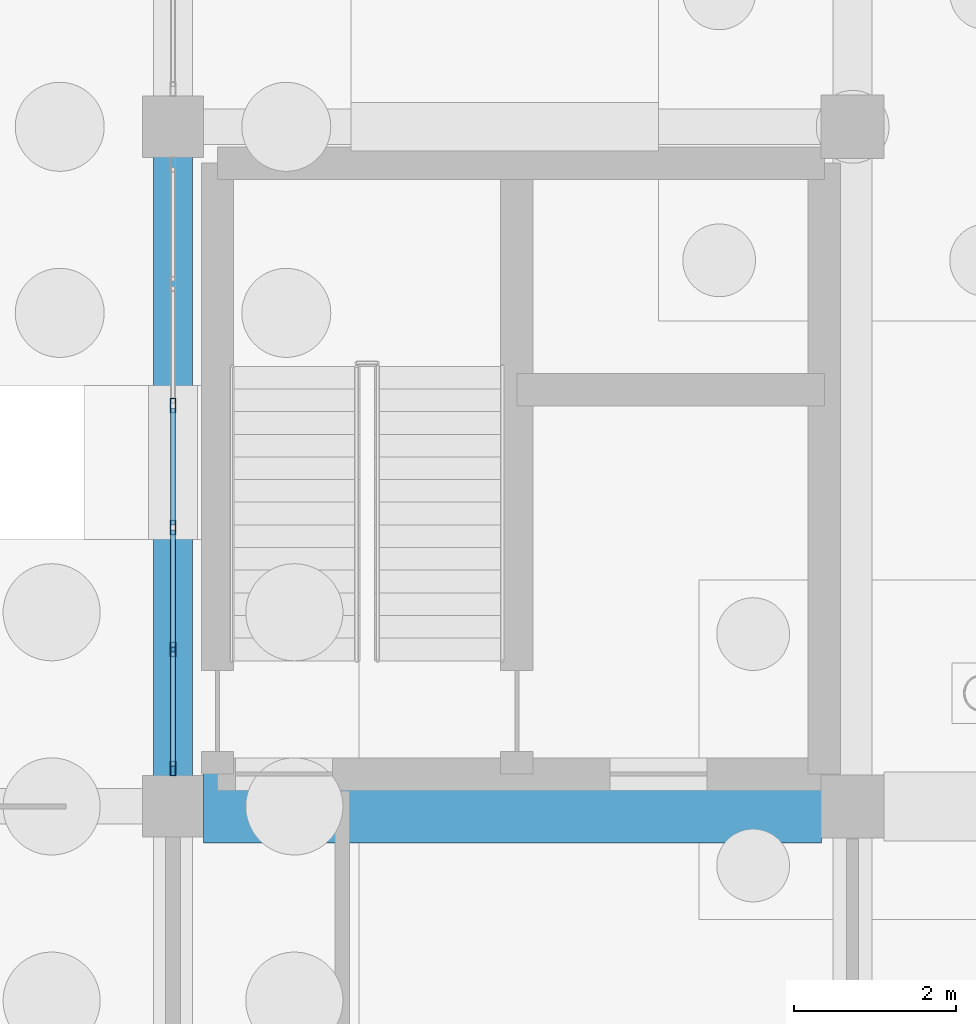
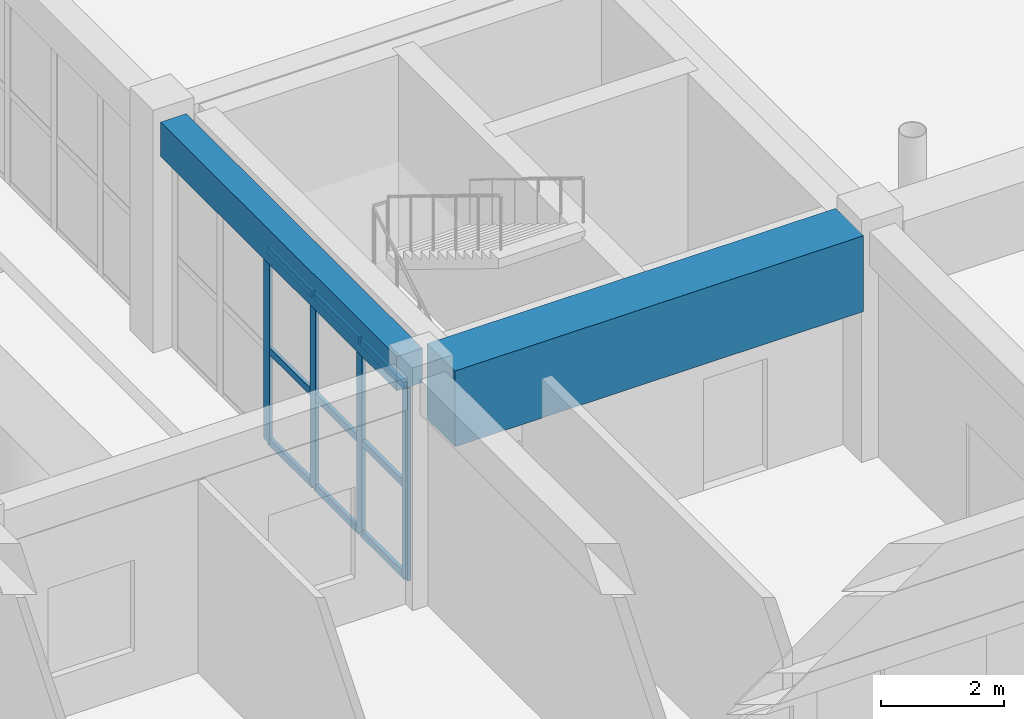
# One storey, part 122 of 192: 13 members, 2 beams, 1 element without a shape of its own.
"""IFC4 building model written with IfcOpenShell, lengths in metres."""

from ifc_helpers import new_model, si_unit, direction, frame, origin, origin_2d, place, context, subcontext, project, spatial, rectangle, hollow_rectangle, extrude, material, layer, layer_set, material_profile, profile_set, type_object, element, aggregate, save


model = new_model("IFC4")

# Units and contexts
model_context = context("Model", 3, precision=1e-05, world=origin(), true_north=direction((0.0, 1.0)))
body_context = subcontext(model_context, "Body", "Model", "MODEL_VIEW")
ifc_project = project(units=[si_unit("LENGTHUNIT", "METRE"), si_unit("AREAUNIT", "SQUARE_METRE"), si_unit("VOLUMEUNIT", "CUBIC_METRE"), si_unit("PLANEANGLEUNIT", "RADIAN"), si_unit("MASSUNIT", "GRAM", prefix="KILO")], contexts=[model_context])

# Site, building, storey
site_placement = place(None, origin())
site = spatial("IfcSite", under=ifc_project, at=site_placement, CompositionType="ELEMENT")
building_placement = place(site_placement, origin())
building = spatial("IfcBuilding", under=site, at=building_placement, Name="Trelvath General Hospital", CompositionType="ELEMENT")
storey_placement = place(building_placement, origin())
storey = spatial("IfcBuildingStorey", under=building, at=storey_placement, Name="L00", CompositionType="ELEMENT", Elevation=0.0)

# Beam
ifc_material_1 = material(Name="Concrete C35/45", Category="concrete")
ifc_material_profile_1 = material_profile(ifc_material_1, rectangle(XDim=0.47998046875, YDim=0.679931640625, at=origin_2d()), Name="RCB480x680")
ifc_profile_set_1 = profile_set([ifc_material_profile_1], Name="Concrete C35/45")
beam_type_1 = type_object("IfcBeamType", Name="Beam RC480x680", PredefinedType="BEAM", material=ifc_profile_set_1)
beam_1_placement = place(storey_placement, frame((134.39990234375, 25.574951171875, 4.179931640625), z_axis=(0.0, 1.0, 0.0), x_axis=(-1.0, 0.0, 0.0)))
element("IfcBeam", 1, at=beam_1_placement, inside=storey, type_object=beam_type_1, Name="Grid Beam BY-016D", PredefinedType="BEAM", context=body_context, shape_type="SweptSolid", body=[
    extrude(rectangle(XDim=0.47998046875, YDim=0.679931640625, at=origin_2d()), origin(), (0.0, 0.0, 1.0), 7.650146484375),
])

# Curtain wall, members
ifc_material_2 = material(Name="Anodised aluminium and low-E glass", Category="aluminium")
ifc_layer = layer(ifc_material_2, 0.179931640625)
ifc_layer_set = layer_set([ifc_layer], Name="Anodised aluminium and low-E glass")
curtain_wall_type = type_object("IfcCurtainWallType", Name="CW Facade 753 382 18", PredefinedType="USERDEFINED", material=ifc_layer_set)
curtain_wall_placement = place(storey_placement, origin())
curtain_wall = element("IfcCurtainWall", 2, at=curtain_wall_placement, inside=storey, type_object=curtain_wall_type, Name="Facade Curtain Wall CW-004", ObjectType="Unitised Glazed Curtain Wall", PredefinedType="USERDEFINED")
ifc_material_3 = material(Name="Anodised aluminium", Category="aluminium")
ifc_material_profile_2 = material_profile(ifc_material_3, hollow_rectangle(XDim=0.06494140625, YDim=0.179931640625, WallThickness=0.0048828125, at=origin_2d()), Name="RHS65x180x5")
ifc_profile_set_2 = profile_set([ifc_material_profile_2], Name="Anodised aluminium")
member_type_1 = type_object("IfcMemberType", Name="CurtainMullion 65x180", PredefinedType="MULLION", material=ifc_profile_set_2)
member_1_placement = place(storey_placement, frame((134.39990234375, 25.66748046875, 0.0), z_axis=(0.0, 0.0, 1.0), x_axis=(-1.0, 0.0, 0.0)))
member_1 = element("IfcMember", 3, at=member_1_placement, type_object=member_type_1, Name="CW-004 mullion 1", PredefinedType="MULLION", context=body_context, shape_type="SweptSolid", body=[
    extrude(hollow_rectangle(XDim=0.06494140625, YDim=0.179931640625, WallThickness=0.0048828125, at=origin_2d()), origin(), (0.0, 0.0, 1.0), 3.820068359375),
])
member_2_placement = place(storey_placement, frame((134.39990234375, 27.14111328125, 0.0), z_axis=(0.0, 0.0, 1.0), x_axis=(-1.0, 0.0, 0.0)))
member_2 = element("IfcMember", 4, at=member_2_placement, type_object=member_type_1, Name="CW-004 mullion 2", PredefinedType="MULLION", context=body_context, shape_type="SweptSolid", body=[
    extrude(hollow_rectangle(XDim=0.06494140625, YDim=0.179931640625, WallThickness=0.0048828125, at=origin_2d()), origin(), (0.0, 0.0, 1.0), 3.820068359375),
])
member_3_placement = place(storey_placement, frame((134.39990234375, 28.64697265625, 0.0), z_axis=(0.0, 0.0, 1.0), x_axis=(-1.0, 0.0, 0.0)))
member_3 = element("IfcMember", 5, at=member_3_placement, type_object=member_type_1, Name="CW-004 mullion 3", PredefinedType="MULLION", context=body_context, shape_type="SweptSolid", body=[
    extrude(hollow_rectangle(XDim=0.06494140625, YDim=0.179931640625, WallThickness=0.0048828125, at=origin_2d()), origin(), (0.0, 0.0, 1.0), 3.820068359375),
])
member_4_placement = place(storey_placement, frame((134.39990234375, 30.153076171875, 0.0), z_axis=(0.0, 0.0, 1.0), x_axis=(-1.0, 0.0, 0.0)))
member_4 = element("IfcMember", 6, at=member_4_placement, type_object=member_type_1, Name="CW-004 mullion 4", PredefinedType="MULLION", context=body_context, shape_type="SweptSolid", body=[
    extrude(hollow_rectangle(XDim=0.06494140625, YDim=0.179931640625, WallThickness=0.0048828125, at=origin_2d()), origin(), (0.0, 0.0, 1.0), 3.820068359375),
])
ifc_material_4 = material(Name="Anodised aluminium", Category="aluminium")
ifc_material_profile_3 = material_profile(ifc_material_4, hollow_rectangle(XDim=0.06494140625, YDim=0.14501953125, WallThickness=0.00390625, at=origin_2d()), Name="RHS65x145x4")
ifc_profile_set_3 = profile_set([ifc_material_profile_3], Name="Anodised aluminium")
member_type_2 = type_object("IfcMemberType", Name="CurtainTransom 65x145", PredefinedType="USERDEFINED", material=ifc_profile_set_3)
member_5_placement = place(storey_placement, frame((134.39990234375, 25.699951171875, 0.032470703125), z_axis=(0.0, 1.0, 0.0), x_axis=(-1.0, 0.0, 0.0)))
member_5 = element("IfcMember", 7, at=member_5_placement, type_object=member_type_2, Name="CW-004 transom 1.1", ObjectType="TRANSOM", PredefinedType="USERDEFINED", context=body_context, shape_type="SweptSolid", body=[
    extrude(hollow_rectangle(XDim=0.06494140625, YDim=0.14501953125, WallThickness=0.00390625, at=origin_2d()), origin(), (0.0, 0.0, 1.0), 1.408447265625),
])
member_6_placement = place(storey_placement, frame((134.39990234375, 25.699951171875, 1.833984375), z_axis=(0.0, 1.0, 0.0), x_axis=(-1.0, 0.0, 0.0)))
member_6 = element("IfcMember", 8, at=member_6_placement, type_object=member_type_2, Name="CW-004 transom 1.2", ObjectType="TRANSOM", PredefinedType="USERDEFINED", context=body_context, shape_type="SweptSolid", body=[
    extrude(hollow_rectangle(XDim=0.06494140625, YDim=0.14501953125, WallThickness=0.00390625, at=origin_2d()), origin(), (0.0, 0.0, 1.0), 1.408447265625),
])
member_7_placement = place(storey_placement, frame((134.39990234375, 25.699951171875, 3.78759765625), z_axis=(0.0, 1.0, 0.0), x_axis=(-1.0, 0.0, 0.0)))
member_7 = element("IfcMember", 9, at=member_7_placement, type_object=member_type_2, Name="CW-004 transom 1.3", ObjectType="TRANSOM", PredefinedType="USERDEFINED", context=body_context, shape_type="SweptSolid", body=[
    extrude(hollow_rectangle(XDim=0.06494140625, YDim=0.14501953125, WallThickness=0.00390625, at=origin_2d()), origin(), (0.0, 0.0, 1.0), 1.408447265625),
])
member_8_placement = place(storey_placement, frame((134.39990234375, 27.173583984375, 0.032470703125), z_axis=(0.0, 1.0, 0.0), x_axis=(-1.0, 0.0, 0.0)))
member_8 = element("IfcMember", 10, at=member_8_placement, type_object=member_type_2, Name="CW-004 transom 2.1", ObjectType="TRANSOM", PredefinedType="USERDEFINED", context=body_context, shape_type="SweptSolid", body=[
    extrude(hollow_rectangle(XDim=0.06494140625, YDim=0.14501953125, WallThickness=0.00390625, at=origin_2d()), origin(), (0.0, 0.0, 1.0), 1.44091796875),
])
member_9_placement = place(storey_placement, frame((134.39990234375, 27.173583984375, 1.833984375), z_axis=(0.0, 1.0, 0.0), x_axis=(-1.0, 0.0, 0.0)))
member_9 = element("IfcMember", 11, at=member_9_placement, type_object=member_type_2, Name="CW-004 transom 2.2", ObjectType="TRANSOM", PredefinedType="USERDEFINED", context=body_context, shape_type="SweptSolid", body=[
    extrude(hollow_rectangle(XDim=0.06494140625, YDim=0.14501953125, WallThickness=0.00390625, at=origin_2d()), origin(), (0.0, 0.0, 1.0), 1.44091796875),
])
member_10_placement = place(storey_placement, frame((134.39990234375, 27.173583984375, 3.78759765625), z_axis=(0.0, 1.0, 0.0), x_axis=(-1.0, 0.0, 0.0)))
member_10 = element("IfcMember", 12, at=member_10_placement, type_object=member_type_2, Name="CW-004 transom 2.3", ObjectType="TRANSOM", PredefinedType="USERDEFINED", context=body_context, shape_type="SweptSolid", body=[
    extrude(hollow_rectangle(XDim=0.06494140625, YDim=0.14501953125, WallThickness=0.00390625, at=origin_2d()), origin(), (0.0, 0.0, 1.0), 1.44091796875),
])
member_11_placement = place(storey_placement, frame((134.39990234375, 28.679443359375, 0.032470703125), z_axis=(0.0, 1.0, 0.0), x_axis=(-1.0, 0.0, 0.0)))
member_11 = element("IfcMember", 13, at=member_11_placement, type_object=member_type_2, Name="CW-004 transom 3.1", ObjectType="TRANSOM", PredefinedType="USERDEFINED", context=body_context, shape_type="SweptSolid", body=[
    extrude(hollow_rectangle(XDim=0.06494140625, YDim=0.14501953125, WallThickness=0.00390625, at=origin_2d()), origin(), (0.0, 0.0, 1.0), 1.441162109375),
])
member_12_placement = place(storey_placement, frame((134.39990234375, 28.679443359375, 1.833984375), z_axis=(0.0, 1.0, 0.0), x_axis=(-1.0, 0.0, 0.0)))
member_12 = element("IfcMember", 14, at=member_12_placement, type_object=member_type_2, Name="CW-004 transom 3.2", ObjectType="TRANSOM", PredefinedType="USERDEFINED", context=body_context, shape_type="SweptSolid", body=[
    extrude(hollow_rectangle(XDim=0.06494140625, YDim=0.14501953125, WallThickness=0.00390625, at=origin_2d()), origin(), (0.0, 0.0, 1.0), 1.441162109375),
])
member_13_placement = place(storey_placement, frame((134.39990234375, 28.679443359375, 3.78759765625), z_axis=(0.0, 1.0, 0.0), x_axis=(-1.0, 0.0, 0.0)))
member_13 = element("IfcMember", 15, at=member_13_placement, type_object=member_type_2, Name="CW-004 transom 3.3", ObjectType="TRANSOM", PredefinedType="USERDEFINED", context=body_context, shape_type="SweptSolid", body=[
    extrude(hollow_rectangle(XDim=0.06494140625, YDim=0.14501953125, WallThickness=0.00390625, at=origin_2d()), origin(), (0.0, 0.0, 1.0), 1.441162109375),
])
aggregate(curtain_wall, [member_1, member_2, member_3, member_4, member_5, member_6, member_7, member_8, member_9, member_10, member_11, member_12, member_13])

# Beam
ifc_material_5 = material(Name="Concrete C45/55", Category="concrete")
ifc_material_profile_4 = material_profile(ifc_material_5, rectangle(XDim=0.89990234375, YDim=1.5, at=origin_2d()), Name="RCB900x1500")
ifc_profile_set_4 = profile_set([ifc_material_profile_4], Name="Concrete C45/55")
beam_type_2 = type_object("IfcBeamType", Name="TransferGirder RC900x1500", PredefinedType="T_BEAM", material=ifc_profile_set_4)
beam_2_placement = place(storey_placement, frame((134.77490234375, 25.199951171875, 3.77001953125), z_axis=(1.0, 0.0, 0.0), x_axis=(0.0, 1.0, 0.0)))
element("IfcBeam", 16, at=beam_2_placement, inside=storey, type_object=beam_type_2, Name="Transfer Girder TG-01 L00", PredefinedType="T_BEAM", context=body_context, shape_type="SweptSolid", body=[
    extrude(rectangle(XDim=0.89990234375, YDim=1.5, at=origin_2d()), origin(), (0.0, 0.0, 1.0), 7.64013671875),
])

save(model, "model.ifc")
